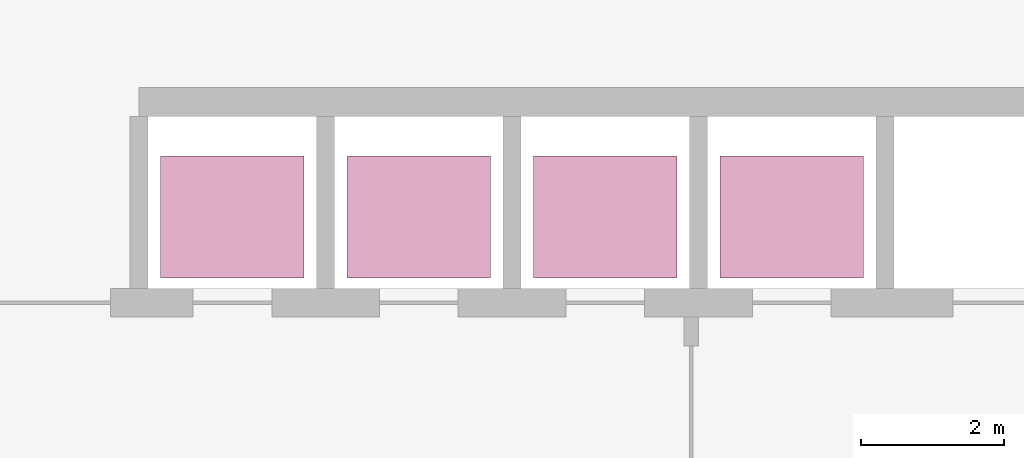
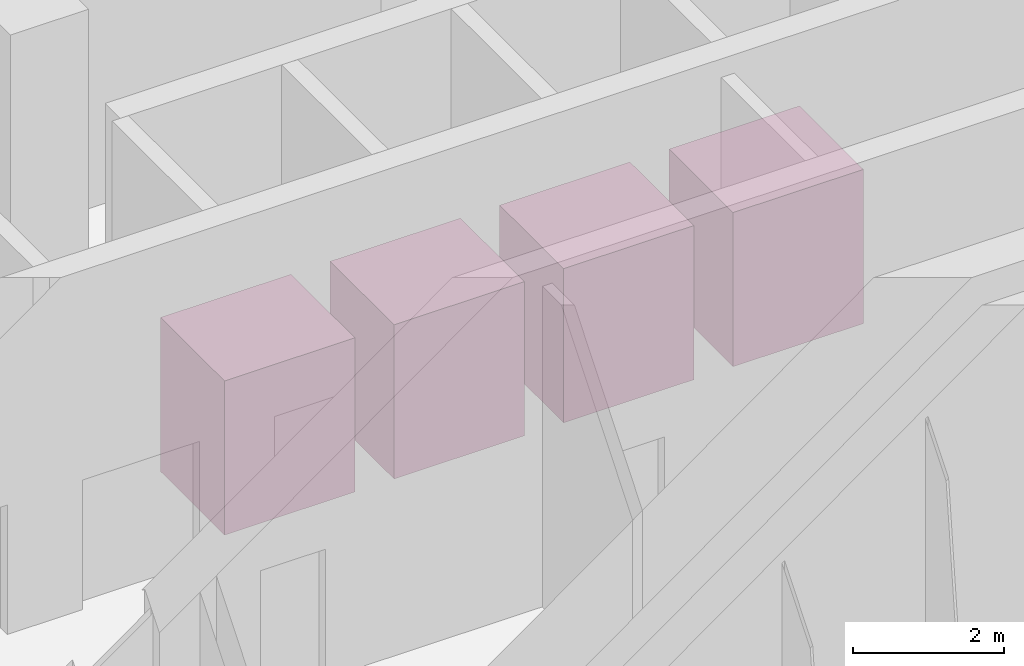
# One storey, part 24 of 24: 4 transport elements.
"""IFC4 building model written with IfcOpenShell, lengths in metres."""

from ifc_helpers import new_model, si_unit, direction, frame, origin, origin_2d, place, context, subcontext, project, spatial, rectangle, extrude, material, type_object, element, save


model = new_model("IFC4")

# Units and contexts
model_context = context("Model", 3, precision=1e-05, world=origin(), true_north=direction((0.0, 1.0)))
body_context = subcontext(model_context, "Body", "Model", "MODEL_VIEW")
ifc_project = project(units=[si_unit("LENGTHUNIT", "METRE"), si_unit("AREAUNIT", "SQUARE_METRE"), si_unit("VOLUMEUNIT", "CUBIC_METRE"), si_unit("PLANEANGLEUNIT", "RADIAN"), si_unit("MASSUNIT", "GRAM", prefix="KILO")], contexts=[model_context])

# Site, building, storey
site_placement = place(None, origin())
site = spatial("IfcSite", under=ifc_project, at=site_placement, CompositionType="ELEMENT")
building_placement = place(site_placement, origin())
building = spatial("IfcBuilding", under=site, at=building_placement, Name="Kemantara Hotel Tower", CompositionType="ELEMENT")
storey_placement = place(building_placement, frame((0.0, 0.0, 202.5)))
storey = spatial("IfcBuildingStorey", under=building, at=storey_placement, Name="L50", CompositionType="ELEMENT", Elevation=202.5)

# Transport elements
ifc_material = material(Name="Stainless steel lift car", Category="steel")
transport_element_type = type_object("IfcTransportElementType", Name="Passenger lift (high-rise bank) 1800 x 1500 mm", PredefinedType="ELEVATOR", material=ifc_material)
for number, where, z_axis, x_axis, name in (
    (1, (28.39990234375, 8.0, 0.0), (0.0, 0.0, 1.0), (1.0, 0.0, 0.0), "Lift HR1 car"),
    (2, (31.0, 8.0, 0.0), (0.0, 0.0, 1.0), (1.0, 0.0, 0.0), "Lift HR2 car"),
    (3, (33.60009765625, 8.0, 0.0), (0.0, 0.0, 1.0), (1.0, 0.0, 0.0), "Lift HR3 car"),
    (4, (36.199951171875, 8.0, 0.0), (0.0, 0.0, 1.0), (1.0, 0.0, 0.0), "Lift HR4 car"),
):
    element("IfcTransportElement", number, at=place(storey_placement, frame(where, z_axis=z_axis, x_axis=x_axis)), inside=storey, type_object=transport_element_type, Name=name, PredefinedType="ELEVATOR", context=body_context, shape_type="SweptSolid", body=[
        extrude(rectangle(XDim=2.0, YDim=1.699951171875, at=origin_2d()), origin(), (0.0, 0.0, 1.0), 2.5),
    ])

save(model, "model.ifc")
